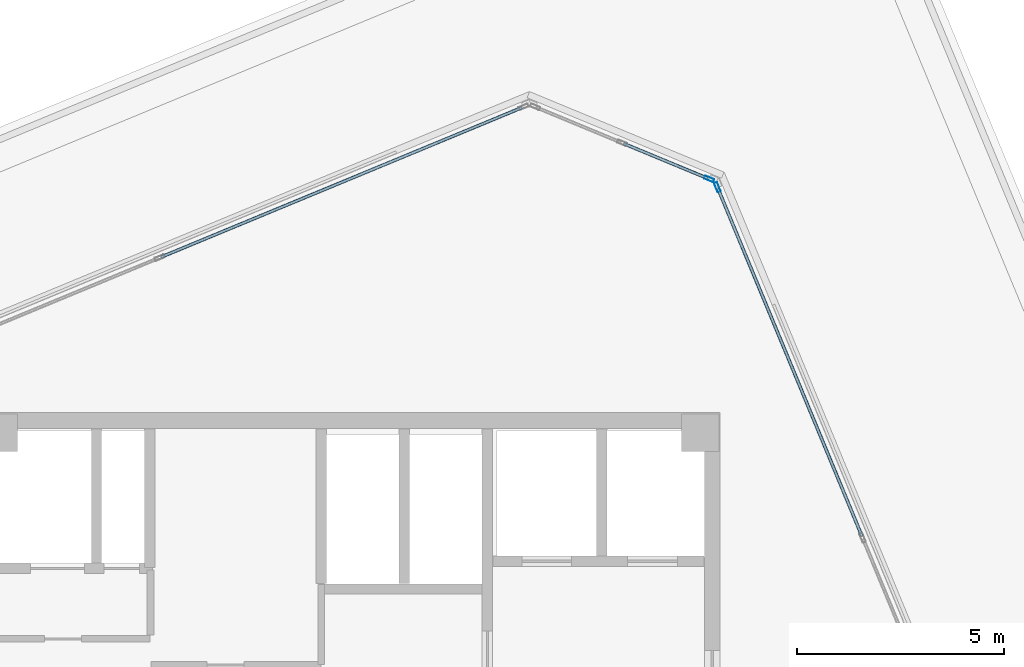
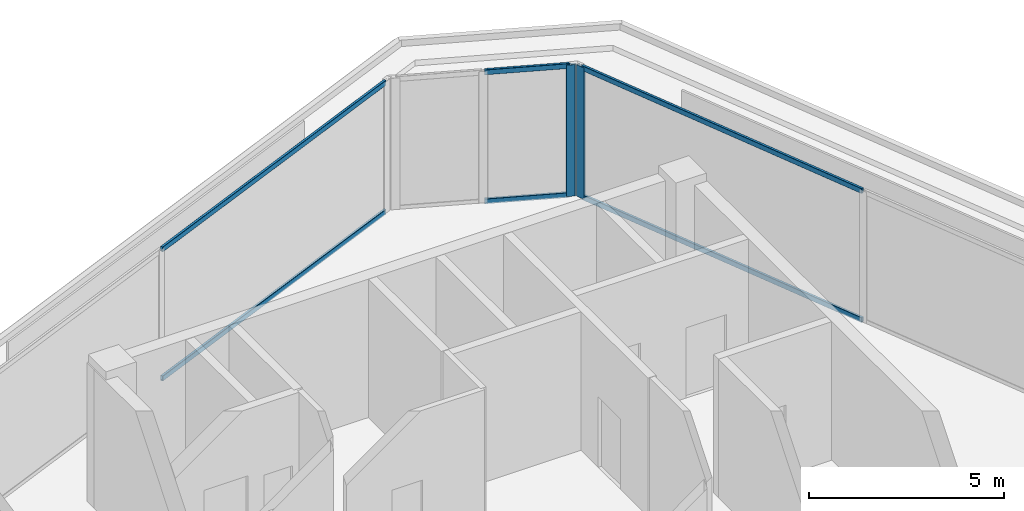
# One storey, part 6 of 11: 8 members, 3 elements without a shape of their own.
"""IFC4 building model written with IfcOpenShell, lengths in metres."""

import ifcopenshell
import ifcopenshell.guid

model = None  # the IFC model being written
_history = None  # IfcOwnerHistory: only IFC2X3 demands one
_inside = {}  # id of a spatial element -> (the spatial element, [elements in it])
_under = {}  # id of a project, library or spatial element -> (it, [spatial elements below it])
_declared = {}  # id of a project -> (the project, [libraries it declares])
_typed = {}  # id of a type object -> (the type object, [elements of that type])
_made_of = {}  # id of a material, layer set ... -> (it, [elements and type objects made of it])


def new_model(schema):
    """Start an empty IFC model of exactly this schema.

    Asked for "IFC4X3", IfcOpenShell would pick the latest addendum, in which some entities
    have other attributes; the version numbers below select the first issue.
    IFC2X3 requires an IfcOwnerHistory on every rooted entity: one is made here for all.
    """
    global model, _history
    if schema == "IFC4X3":
        model = ifcopenshell.file(schema_version=(4, 3, 0, 0))
    else:
        model = ifcopenshell.file(schema=schema)
    _inside.clear()
    _under.clear()
    _declared.clear()
    _typed.clear()
    _made_of.clear()
    _history = None
    if model.schema == "IFC2X3":
        org = make("IfcOrganization", Name="unknown")
        user = make(
            "IfcPersonAndOrganization",
            ThePerson=make("IfcPerson", FamilyName="unknown"),
            TheOrganization=org,
        )
        app = make(
            "IfcApplication",
            ApplicationDeveloper=org,
            Version="unknown",
            ApplicationFullName="unknown",
            ApplicationIdentifier="unknown",
        )
        _history = make(
            "IfcOwnerHistory",
            OwningUser=user,
            OwningApplication=app,
            ChangeAction="ADDED",
            CreationDate=0,
        )
    return model


def make(cls, **values):
    """One entity of the class cls with the attributes given. An attribute that is None is left unset."""
    return model.create_entity(
        cls, **{name: value for name, value in values.items() if value is not None}
    )


def rooted(cls, **values):
    """An entity with a GlobalId (a new one), such as an element, a storey or a relation."""
    return make(cls, GlobalId=ifcopenshell.guid.new(), OwnerHistory=_history, **values)


def si_unit(unit_type, name, prefix=None):
    """IfcSIUnit, for example si_unit("LENGTHUNIT", "METRE", prefix="MILLI")."""
    return make("IfcSIUnit", UnitType=unit_type, Prefix=prefix, Name=name)


def assignment(units):
    """IfcUnitAssignment: the units of a project."""
    return None if units is None else make("IfcUnitAssignment", Units=units)


def point(xyz):
    """IfcCartesianPoint."""
    return None if xyz is None else make("IfcCartesianPoint", Coordinates=xyz)


def direction(xyz):
    """IfcDirection."""
    return None if xyz is None else make("IfcDirection", DirectionRatios=xyz)


def frame(location, z_axis=None, x_axis=None):
    """IfcAxis2Placement3D, a coordinate frame: its origin and axes. An axis left out is left unset."""
    return make(
        "IfcAxis2Placement3D",
        Location=point(location),
        Axis=direction(z_axis),
        RefDirection=direction(x_axis),
    )


def frame_2d(location, x_axis=None):
    """IfcAxis2Placement2D, a coordinate frame in the plane: its origin and x axis."""
    return make(
        "IfcAxis2Placement2D", Location=point(location), RefDirection=direction(x_axis)
    )


def origin():
    """The frame at (0, 0, 0) with its axes left unset."""
    return frame((0.0, 0.0, 0.0))


def origin_2d():
    """The frame at (0, 0) in the plane with its x axis left unset."""
    return frame_2d((0.0, 0.0))


def place(relative_to, where):
    """IfcLocalPlacement: puts the frame where relative to a parent placement (None: the world)."""
    return make(
        "IfcLocalPlacement", PlacementRelTo=relative_to, RelativePlacement=where
    )


def context(
    kind, dimensions, precision=None, world=None, true_north=None, identifier=None
):
    """IfcGeometricRepresentationContext, for example the 3D "Model" context."""
    return make(
        "IfcGeometricRepresentationContext",
        ContextIdentifier=identifier,
        ContextType=kind,
        CoordinateSpaceDimension=dimensions,
        Precision=precision,
        WorldCoordinateSystem=world,
        TrueNorth=true_north,
    )


def subcontext(parent, identifier, kind, view, scale=None):
    """IfcGeometricRepresentationSubContext, for example "Body" below "Model"."""
    return make(
        "IfcGeometricRepresentationSubContext",
        ContextIdentifier=identifier,
        ContextType=kind,
        ParentContext=parent,
        TargetScale=scale,
        TargetView=view,
    )


def project(units=None, contexts=None):
    """IfcProject with its units and contexts."""
    return rooted(
        "IfcProject",
        Name="project",
        RepresentationContexts=contexts,
        UnitsInContext=assignment(units),
    )


def spatial(cls, under=None, at=None, **own):
    """A site, building, storey or space (cls), placed at a placement, below another one or the project."""
    s = rooted(cls, ObjectPlacement=at, **own)
    if under is not None:
        _under.setdefault(under.id(), (under, []))[1].append(s)
    return s


def profile(cls, at=None, kind="AREA", **sizes):
    """A parametric profile (cls). Its sizes go by their IFC names, for example OverallWidth=200.0."""
    return make(cls, ProfileType=kind, Position=at, **sizes)


def hollow_rectangle(**sizes):
    """IfcRectangleHollowProfileDef."""
    return profile("IfcRectangleHollowProfileDef", **sizes)


def extrude(swept, where, along, depth):
    """IfcExtrudedAreaSolid: the profile swept, set in the frame where, extruded along a direction by depth."""
    return make(
        "IfcExtrudedAreaSolid",
        SweptArea=swept,
        Position=where,
        ExtrudedDirection=direction(along),
        Depth=depth,
    )


def shape(context_of_items, identifier, shape_type, items):
    """IfcShapeRepresentation: the items that make up one representation, for example the "Body"."""
    return make(
        "IfcShapeRepresentation",
        ContextOfItems=context_of_items,
        RepresentationIdentifier=identifier,
        RepresentationType=shape_type,
        Items=items,
    )


def source(mapping_origin, context_of_items, identifier, shape_type, items):
    """IfcRepresentationMap: a shape defined once, which mapped items show again and again."""
    return make(
        "IfcRepresentationMap",
        MappingOrigin=mapping_origin,
        MappedRepresentation=shape(context_of_items, identifier, shape_type, items),
    )


def transform(
    local_origin,
    x_axis=None,
    y_axis=None,
    z_axis=None,
    scale=None,
    scale2=None,
    scale3=None,
    uniform=True,
):
    """IfcCartesianTransformationOperator3D, or its non-uniform kind. x_axis, y_axis, z_axis: its Axis1, 2, 3."""
    if uniform:
        return make(
            "IfcCartesianTransformationOperator3D",
            Axis1=direction(x_axis),
            Axis2=direction(y_axis),
            LocalOrigin=point(local_origin),
            Scale=scale,
            Axis3=direction(z_axis),
        )
    return make(
        "IfcCartesianTransformationOperator3DnonUniform",
        Axis1=direction(x_axis),
        Axis2=direction(y_axis),
        LocalOrigin=point(local_origin),
        Scale=scale,
        Axis3=direction(z_axis),
        Scale2=scale2,
        Scale3=scale3,
    )


def mapped(mapping_source, mapping_target):
    """IfcMappedItem: shows the shape of a source again, moved by a transform."""
    return make(
        "IfcMappedItem", MappingSource=mapping_source, MappingTarget=mapping_target
    )


def material(Name=None, Category=None):
    """IfcMaterial."""
    return make("IfcMaterial", Name=Name, Category=Category)


def material_profile(
    of_material, cross_section, Name=None, Category=None, Priority=None
):
    """IfcMaterialProfile: a cross section and its material."""
    return make(
        "IfcMaterialProfile",
        Name=Name,
        Material=of_material,
        Profile=cross_section,
        Priority=Priority,
        Category=Category,
    )


def profile_set(profiles, Name=None, composite=None):
    """IfcMaterialProfileSet."""
    return make(
        "IfcMaterialProfileSet",
        Name=Name,
        MaterialProfiles=profiles,
        CompositeProfile=composite,
    )


def made_of(thing, what):
    """Note that an element or type object is made of a material, layer set ...; save() writes the relation."""
    if what is not None:
        _made_of.setdefault(what.id(), (what, []))[1].append(thing)
    return thing


def type_object(cls, material=None, **own):
    """A type object (cls), such as IfcWallType, which elements share."""
    return made_of(rooted(cls, **own), material)


def element(
    cls,
    number,
    at=None,
    inside=None,
    cuts=None,
    type_object=None,
    material=None,
    context=None,
    identifier="Body",
    shape_type=None,
    held_by="IfcProductDefinitionShape",
    body=None,
    shapes=None,
    **own,
):
    """One element of the class cls, such as IfcWall. Its Tag is "e" and its number.

    at: its placement. inside: the storey or other place that contains it. cuts: it is an
    opening in that element (IfcRelVoidsElement). A single representation is given by context,
    identifier, shape_type and body (its items); several are given by shapes. held_by: the class
    of the entity that holds the representations. save() writes the other relations.
    """
    e = rooted(cls, Tag="e%d" % number, ObjectPlacement=at, **own)
    if body is not None:
        shapes = [shape(context, identifier, shape_type, body)]
    if shapes is not None:
        e.Representation = make(held_by, Representations=shapes)
    if inside is not None:
        _inside.setdefault(inside.id(), (inside, []))[1].append(e)
    if cuts is not None:
        rooted(
            "IfcRelVoidsElement", RelatingBuildingElement=cuts, RelatedOpeningElement=e
        )
    if type_object is not None:
        _typed.setdefault(type_object.id(), (type_object, []))[1].append(e)
    return made_of(e, material)


def aggregate(whole, parts):
    """IfcRelAggregates: a whole, such as a stair, and the parts it consists of."""
    return rooted("IfcRelAggregates", RelatingObject=whole, RelatedObjects=parts)


def save(model, path):
    """Write the relations noted so far, then the file.

    IfcRelAggregates (storeys below a building ...), IfcRelContainedInSpatialStructure (elements
    in a storey), IfcRelDefinesByType, IfcRelAssociatesMaterial and IfcRelDeclares: one each for
    every whole, place, type object, material and project.
    """
    for whole, parts in _under.values():
        aggregate(whole, parts)
    for where, things in _inside.values():
        rooted(
            "IfcRelContainedInSpatialStructure",
            RelatedElements=things,
            RelatingStructure=where,
        )
    for kind, things in _typed.values():
        rooted("IfcRelDefinesByType", RelatedObjects=things, RelatingType=kind)
    for what, things in _made_of.values():
        rooted("IfcRelAssociatesMaterial", RelatedObjects=things, RelatingMaterial=what)
    for by, libraries in _declared.values():
        rooted("IfcRelDeclares", RelatingContext=by, RelatedDefinitions=libraries)
    model.write(path)


model = new_model("IFC4")

# Units and contexts
model_context = context("Model", 3, precision=1e-05, world=origin(), true_north=direction((0.0, 1.0)))
body_context = subcontext(model_context, "Body", "Model", "MODEL_VIEW")
ifc_project = project(units=[si_unit("LENGTHUNIT", "METRE"), si_unit("AREAUNIT", "SQUARE_METRE"), si_unit("VOLUMEUNIT", "CUBIC_METRE"), si_unit("PLANEANGLEUNIT", "RADIAN"), si_unit("MASSUNIT", "GRAM", prefix="KILO")], contexts=[model_context])

# Site, building, storey
site_placement = place(None, origin())
site = spatial("IfcSite", under=ifc_project, at=site_placement, CompositionType="ELEMENT")
building_placement = place(site_placement, origin())
building = spatial("IfcBuilding", under=site, at=building_placement, Name="Torre Montelarca", CompositionType="ELEMENT")
storey_placement = place(building_placement, frame((0.0, 0.0, 366.0)))
storey = spatial("IfcBuildingStorey", under=building, at=storey_placement, Name="L82", CompositionType="ELEMENT", Elevation=366.0)

# Curtain wall, member
ifc_material_1 = material(Name="Amber translucent laminated glass", Category="glass")
curtain_wall_type = type_object("IfcCurtainWallType", Name="CW-SYS-LANT", PredefinedType="USERDEFINED", material=ifc_material_1)
curtain_wall_1_placement = place(storey_placement, origin())
curtain_wall_1 = element("IfcCurtainWall", 1, at=curtain_wall_1_placement, inside=storey, type_object=curtain_wall_type, Name="L82 Curtain Wall Run CW-T3-L82-E05-B1", ObjectType="TRANSLUCENT LANTERN", PredefinedType="USERDEFINED")
ifc_material_2 = material(Name="Anodised aluminium AA 6063-T6", Category="aluminium")
ifc_material_profile_1 = material_profile(ifc_material_2, hollow_rectangle(XDim=0.080078125, YDim=0.239990234375, WallThickness=0.0048828125, InnerFilletRadius=0.0048828125, OuterFilletRadius=0.010009765625, at=origin_2d()), Name="ALU80X240X5", Category="aluminium")
ifc_profile_set_1 = profile_set([ifc_material_profile_1], Name="Anodised aluminium AA 6063-T6")
member_type_1 = type_object("IfcMemberType", Name="CWM-ALU240", PredefinedType="MULLION", material=ifc_profile_set_1)
shared_shape_1 = source(origin(), body_context, "Body", "SweptSolid", [
    extrude(hollow_rectangle(XDim=0.080078125, YDim=0.239990234375, WallThickness=0.0048828125, InnerFilletRadius=0.0048828125, OuterFilletRadius=0.010009765625, at=origin_2d()), origin(), (0.0, 0.0, 1.0), 4.1201171875),
])
member_1_placement = place(storey_placement, frame((26.864013671875, 45.3642578125, 0.0), z_axis=(0.0, 0.0, 1.0), x_axis=(-0.92387961246, -0.382683239352, 0.0)))
member_1 = element("IfcMember", 2, at=member_1_placement, type_object=member_type_1, Name="CW mullion 3", PredefinedType="MULLION", context=body_context, shape_type="MappedRepresentation", body=[
    mapped(shared_shape_1, transform((0.0, 0.0, 0.0), scale=1.0)),
])

curtain_wall_2_placement = place(storey_placement, origin())
curtain_wall_2 = element("IfcCurtainWall", 3, at=curtain_wall_2_placement, inside=storey, type_object=curtain_wall_type, Name="L82 Curtain Wall Run CW-T3-L82-E06-B1", ObjectType="TRANSLUCENT LANTERN", PredefinedType="USERDEFINED")
member_2_placement = place(storey_placement, frame((26.66552734375, 45.562744140625, 0.0), z_axis=(0.0, 0.0, 1.0), x_axis=(-0.382675639152, -0.923882760527, 0.0)))
member_2 = element("IfcMember", 4, at=member_2_placement, type_object=member_type_1, Name="CW mullion 1", PredefinedType="MULLION", context=body_context, shape_type="MappedRepresentation", body=[
    mapped(shared_shape_1, transform((0.0, 0.0, 0.0), scale=1.0)),
])

# Member
ifc_material_profile_2 = material_profile(ifc_material_2, hollow_rectangle(XDim=0.074951171875, YDim=0.159912109375, WallThickness=0.0048828125, InnerFilletRadius=0.0048828125, OuterFilletRadius=0.010009765625, at=origin_2d()), Name="ALU75X160X5", Category="aluminium")
ifc_profile_set_2 = profile_set([ifc_material_profile_2], Name="Anodised aluminium AA 6063-T6")
member_type_2 = type_object("IfcMemberType", Name="CWT-ALU160", PredefinedType="USERDEFINED", material=ifc_profile_set_2)
shared_shape_2 = source(origin(), body_context, "Body", "SweptSolid", [
    extrude(hollow_rectangle(XDim=0.074951171875, YDim=0.159912109375, WallThickness=0.0048828125, InnerFilletRadius=0.0048828125, OuterFilletRadius=0.010009765625, at=origin_2d()), origin(), (0.0, 0.0, 1.0), 9.06396484375),
])
member_3_placement = place(storey_placement, frame((30.34814453125, 36.953125, 0.03759765625), z_axis=(-0.382694348506, 0.923875010822, 0.0), x_axis=(-0.923875010822, -0.382694348506, 0.0)))
member_3 = element("IfcMember", 5, at=member_3_placement, type_object=member_type_2, Name="CW transom 2.1", ObjectType="TRANSOM", PredefinedType="USERDEFINED", context=body_context, shape_type="MappedRepresentation", body=[
    mapped(shared_shape_2, transform((0.0, 0.0, 0.0), scale=1.0)),
])

member_4_placement = place(storey_placement, frame((30.34814453125, 36.953125, 4.08251953125), z_axis=(-0.382694348506, 0.923875010822, 0.0), x_axis=(-0.923875010822, -0.382694348506, 0.0)))
member_4 = element("IfcMember", 6, at=member_4_placement, type_object=member_type_2, Name="CW transom 2.2", ObjectType="TRANSOM", PredefinedType="USERDEFINED", context=body_context, shape_type="MappedRepresentation", body=[
    mapped(shared_shape_2, transform((0.0, 0.0, 0.0), scale=1.0)),
])

aggregate(curtain_wall_1, [member_1, member_3, member_4])

shared_shape_3 = source(origin(), body_context, "Body", "SweptSolid", [
    extrude(hollow_rectangle(XDim=0.074951171875, YDim=0.159912109375, WallThickness=0.0048828125, InnerFilletRadius=0.0048828125, OuterFilletRadius=0.010009765625, at=origin_2d()), origin(), (0.0, 0.0, 1.0), 2.188720703125),
])
member_5_placement = place(storey_placement, frame((26.62841796875, 45.578125, 0.03759765625), z_axis=(-0.923876808997, 0.382690007445, 0.0), x_axis=(-0.382690007445, -0.923876808997, 0.0)))
member_5 = element("IfcMember", 7, at=member_5_placement, type_object=member_type_2, Name="CW transom 1.1", ObjectType="TRANSOM", PredefinedType="USERDEFINED", context=body_context, shape_type="MappedRepresentation", body=[
    mapped(shared_shape_3, transform((0.0, 0.0, 0.0), scale=1.0)),
])

member_6_placement = place(storey_placement, frame((26.62841796875, 45.578125, 4.08251953125), z_axis=(-0.923876808997, 0.382690007445, 0.0), x_axis=(-0.382690007445, -0.923876808997, 0.0)))
member_6 = element("IfcMember", 8, at=member_6_placement, type_object=member_type_2, Name="CW transom 1.2", ObjectType="TRANSOM", PredefinedType="USERDEFINED", context=body_context, shape_type="MappedRepresentation", body=[
    mapped(shared_shape_3, transform((0.0, 0.0, 0.0), scale=1.0)),
])

aggregate(curtain_wall_2, [member_2, member_5, member_6])

# Curtain wall, members
curtain_wall_3_placement = place(storey_placement, origin())
curtain_wall_3 = element("IfcCurtainWall", 9, at=curtain_wall_3_placement, inside=storey, type_object=curtain_wall_type, Name="L82 Curtain Wall Run CW-T3-L82-E07-B1", ObjectType="TRANSLUCENT LANTERN", PredefinedType="USERDEFINED")
shared_shape_4 = source(origin(), body_context, "Body", "SweptSolid", [
    extrude(hollow_rectangle(XDim=0.074951171875, YDim=0.159912109375, WallThickness=0.0048828125, InnerFilletRadius=0.0048828125, OuterFilletRadius=0.010009765625, at=origin_2d()), origin(), (0.0, 0.0, 1.0), 9.4140625),
])
member_7_placement = place(storey_placement, frame((22.155029296875, 47.2841796875, 0.03759765625), z_axis=(-0.923873647492, -0.382697639749, 0.0), x_axis=(0.382697639749, -0.923873647492, 0.0)))
member_7 = element("IfcMember", 10, at=member_7_placement, type_object=member_type_2, Name="CW transom 1.1", ObjectType="TRANSOM", PredefinedType="USERDEFINED", context=body_context, shape_type="MappedRepresentation", body=[
    mapped(shared_shape_4, transform((0.0, 0.0, 0.0), scale=1.0)),
])
member_8_placement = place(storey_placement, frame((22.155029296875, 47.2841796875, 4.08251953125), z_axis=(-0.923873647492, -0.382697639749, 0.0), x_axis=(0.382697639749, -0.923873647492, 0.0)))
member_8 = element("IfcMember", 11, at=member_8_placement, type_object=member_type_2, Name="CW transom 1.2", ObjectType="TRANSOM", PredefinedType="USERDEFINED", context=body_context, shape_type="MappedRepresentation", body=[
    mapped(shared_shape_4, transform((0.0, 0.0, 0.0), scale=1.0)),
])
aggregate(curtain_wall_3, [member_7, member_8])

save(model, "model.ifc")
